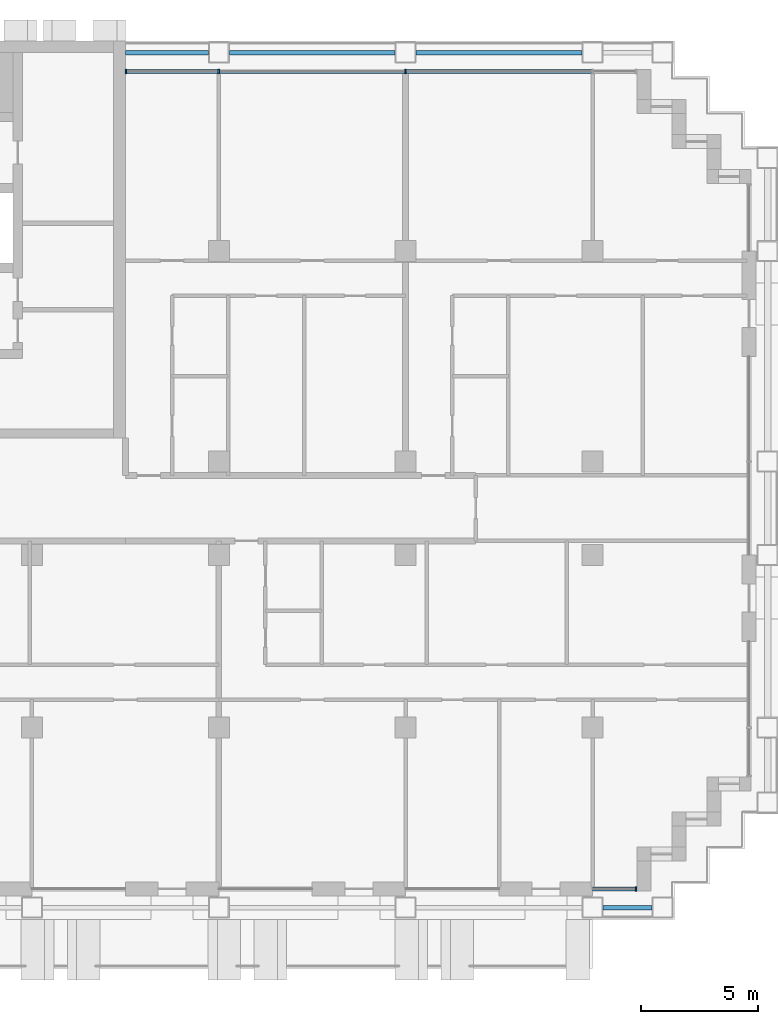
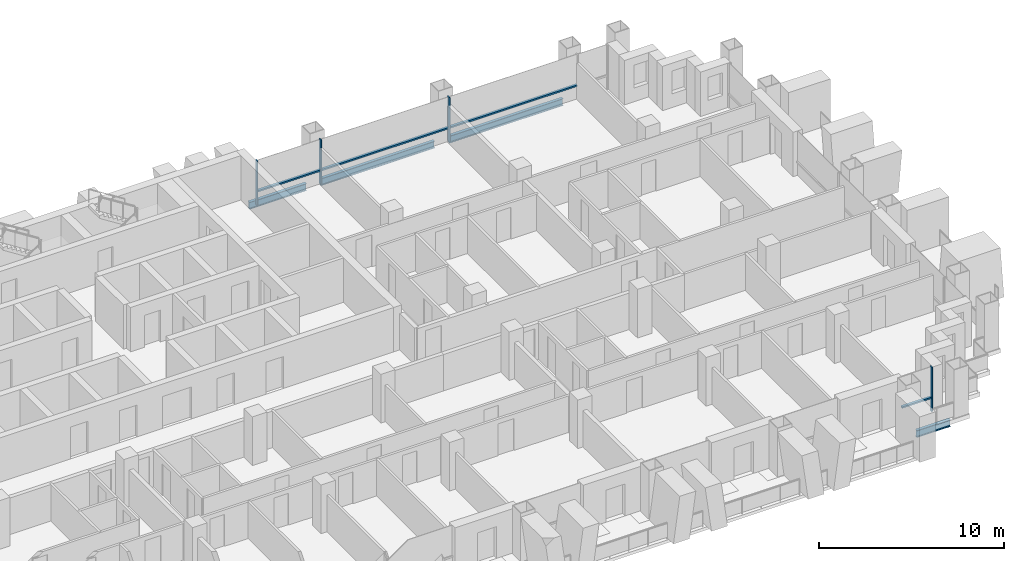
# One storey, part 5 of 19: 8 members, 4 beams, 2 elements without a shape of their own.
"""IFC4 building model written with IfcOpenShell, lengths in metres."""

import ifcopenshell
import ifcopenshell.guid

model = None  # the IFC model being written
_history = None  # IfcOwnerHistory: only IFC2X3 demands one
_inside = {}  # id of a spatial element -> (the spatial element, [elements in it])
_under = {}  # id of a project, library or spatial element -> (it, [spatial elements below it])
_declared = {}  # id of a project -> (the project, [libraries it declares])
_typed = {}  # id of a type object -> (the type object, [elements of that type])
_made_of = {}  # id of a material, layer set ... -> (it, [elements and type objects made of it])


def new_model(schema):
    """Start an empty IFC model of exactly this schema.

    Asked for "IFC4X3", IfcOpenShell would pick the latest addendum, in which some entities
    have other attributes; the version numbers below select the first issue.
    IFC2X3 requires an IfcOwnerHistory on every rooted entity: one is made here for all.
    """
    global model, _history
    if schema == "IFC4X3":
        model = ifcopenshell.file(schema_version=(4, 3, 0, 0))
    else:
        model = ifcopenshell.file(schema=schema)
    _inside.clear()
    _under.clear()
    _declared.clear()
    _typed.clear()
    _made_of.clear()
    _history = None
    if model.schema == "IFC2X3":
        org = make("IfcOrganization", Name="unknown")
        user = make(
            "IfcPersonAndOrganization",
            ThePerson=make("IfcPerson", FamilyName="unknown"),
            TheOrganization=org,
        )
        app = make(
            "IfcApplication",
            ApplicationDeveloper=org,
            Version="unknown",
            ApplicationFullName="unknown",
            ApplicationIdentifier="unknown",
        )
        _history = make(
            "IfcOwnerHistory",
            OwningUser=user,
            OwningApplication=app,
            ChangeAction="ADDED",
            CreationDate=0,
        )
    return model


def make(cls, **values):
    """One entity of the class cls with the attributes given. An attribute that is None is left unset."""
    return model.create_entity(
        cls, **{name: value for name, value in values.items() if value is not None}
    )


def rooted(cls, **values):
    """An entity with a GlobalId (a new one), such as an element, a storey or a relation."""
    return make(cls, GlobalId=ifcopenshell.guid.new(), OwnerHistory=_history, **values)


def si_unit(unit_type, name, prefix=None):
    """IfcSIUnit, for example si_unit("LENGTHUNIT", "METRE", prefix="MILLI")."""
    return make("IfcSIUnit", UnitType=unit_type, Prefix=prefix, Name=name)


def assignment(units):
    """IfcUnitAssignment: the units of a project."""
    return None if units is None else make("IfcUnitAssignment", Units=units)


def point(xyz):
    """IfcCartesianPoint."""
    return None if xyz is None else make("IfcCartesianPoint", Coordinates=xyz)


def direction(xyz):
    """IfcDirection."""
    return None if xyz is None else make("IfcDirection", DirectionRatios=xyz)


def frame(location, z_axis=None, x_axis=None):
    """IfcAxis2Placement3D, a coordinate frame: its origin and axes. An axis left out is left unset."""
    return make(
        "IfcAxis2Placement3D",
        Location=point(location),
        Axis=direction(z_axis),
        RefDirection=direction(x_axis),
    )


def frame_2d(location, x_axis=None):
    """IfcAxis2Placement2D, a coordinate frame in the plane: its origin and x axis."""
    return make(
        "IfcAxis2Placement2D", Location=point(location), RefDirection=direction(x_axis)
    )


def origin():
    """The frame at (0, 0, 0) with its axes left unset."""
    return frame((0.0, 0.0, 0.0))


def origin_2d():
    """The frame at (0, 0) in the plane with its x axis left unset."""
    return frame_2d((0.0, 0.0))


def place(relative_to, where):
    """IfcLocalPlacement: puts the frame where relative to a parent placement (None: the world)."""
    return make(
        "IfcLocalPlacement", PlacementRelTo=relative_to, RelativePlacement=where
    )


def context(
    kind, dimensions, precision=None, world=None, true_north=None, identifier=None
):
    """IfcGeometricRepresentationContext, for example the 3D "Model" context."""
    return make(
        "IfcGeometricRepresentationContext",
        ContextIdentifier=identifier,
        ContextType=kind,
        CoordinateSpaceDimension=dimensions,
        Precision=precision,
        WorldCoordinateSystem=world,
        TrueNorth=true_north,
    )


def subcontext(parent, identifier, kind, view, scale=None):
    """IfcGeometricRepresentationSubContext, for example "Body" below "Model"."""
    return make(
        "IfcGeometricRepresentationSubContext",
        ContextIdentifier=identifier,
        ContextType=kind,
        ParentContext=parent,
        TargetScale=scale,
        TargetView=view,
    )


def project(units=None, contexts=None):
    """IfcProject with its units and contexts."""
    return rooted(
        "IfcProject",
        Name="project",
        RepresentationContexts=contexts,
        UnitsInContext=assignment(units),
    )


def spatial(cls, under=None, at=None, **own):
    """A site, building, storey or space (cls), placed at a placement, below another one or the project."""
    s = rooted(cls, ObjectPlacement=at, **own)
    if under is not None:
        _under.setdefault(under.id(), (under, []))[1].append(s)
    return s


def profile(cls, at=None, kind="AREA", **sizes):
    """A parametric profile (cls). Its sizes go by their IFC names, for example OverallWidth=200.0."""
    return make(cls, ProfileType=kind, Position=at, **sizes)


def rectangle(**sizes):
    """IfcRectangleProfileDef."""
    return profile("IfcRectangleProfileDef", **sizes)


def i_section(**sizes):
    """IfcIShapeProfileDef."""
    return profile("IfcIShapeProfileDef", **sizes)


def extrude(swept, where, along, depth):
    """IfcExtrudedAreaSolid: the profile swept, set in the frame where, extruded along a direction by depth."""
    return make(
        "IfcExtrudedAreaSolid",
        SweptArea=swept,
        Position=where,
        ExtrudedDirection=direction(along),
        Depth=depth,
    )


def shape(context_of_items, identifier, shape_type, items):
    """IfcShapeRepresentation: the items that make up one representation, for example the "Body"."""
    return make(
        "IfcShapeRepresentation",
        ContextOfItems=context_of_items,
        RepresentationIdentifier=identifier,
        RepresentationType=shape_type,
        Items=items,
    )


def material(Name=None, Category=None):
    """IfcMaterial."""
    return make("IfcMaterial", Name=Name, Category=Category)


def material_profile(
    of_material, cross_section, Name=None, Category=None, Priority=None
):
    """IfcMaterialProfile: a cross section and its material."""
    return make(
        "IfcMaterialProfile",
        Name=Name,
        Material=of_material,
        Profile=cross_section,
        Priority=Priority,
        Category=Category,
    )


def profile_set(profiles, Name=None, composite=None):
    """IfcMaterialProfileSet."""
    return make(
        "IfcMaterialProfileSet",
        Name=Name,
        MaterialProfiles=profiles,
        CompositeProfile=composite,
    )


def made_of(thing, what):
    """Note that an element or type object is made of a material, layer set ...; save() writes the relation."""
    if what is not None:
        _made_of.setdefault(what.id(), (what, []))[1].append(thing)
    return thing


def type_object(cls, material=None, **own):
    """A type object (cls), such as IfcWallType, which elements share."""
    return made_of(rooted(cls, **own), material)


def element(
    cls,
    number,
    at=None,
    inside=None,
    cuts=None,
    type_object=None,
    material=None,
    context=None,
    identifier="Body",
    shape_type=None,
    held_by="IfcProductDefinitionShape",
    body=None,
    shapes=None,
    **own,
):
    """One element of the class cls, such as IfcWall. Its Tag is "e" and its number.

    at: its placement. inside: the storey or other place that contains it. cuts: it is an
    opening in that element (IfcRelVoidsElement). A single representation is given by context,
    identifier, shape_type and body (its items); several are given by shapes. held_by: the class
    of the entity that holds the representations. save() writes the other relations.
    """
    e = rooted(cls, Tag="e%d" % number, ObjectPlacement=at, **own)
    if body is not None:
        shapes = [shape(context, identifier, shape_type, body)]
    if shapes is not None:
        e.Representation = make(held_by, Representations=shapes)
    if inside is not None:
        _inside.setdefault(inside.id(), (inside, []))[1].append(e)
    if cuts is not None:
        rooted(
            "IfcRelVoidsElement", RelatingBuildingElement=cuts, RelatedOpeningElement=e
        )
    if type_object is not None:
        _typed.setdefault(type_object.id(), (type_object, []))[1].append(e)
    return made_of(e, material)


def aggregate(whole, parts):
    """IfcRelAggregates: a whole, such as a stair, and the parts it consists of."""
    return rooted("IfcRelAggregates", RelatingObject=whole, RelatedObjects=parts)


def save(model, path):
    """Write the relations noted so far, then the file.

    IfcRelAggregates (storeys below a building ...), IfcRelContainedInSpatialStructure (elements
    in a storey), IfcRelDefinesByType, IfcRelAssociatesMaterial and IfcRelDeclares: one each for
    every whole, place, type object, material and project.
    """
    for whole, parts in _under.values():
        aggregate(whole, parts)
    for where, things in _inside.values():
        rooted(
            "IfcRelContainedInSpatialStructure",
            RelatedElements=things,
            RelatingStructure=where,
        )
    for kind, things in _typed.values():
        rooted("IfcRelDefinesByType", RelatedObjects=things, RelatingType=kind)
    for what, things in _made_of.values():
        rooted("IfcRelAssociatesMaterial", RelatedObjects=things, RelatingMaterial=what)
    for by, libraries in _declared.values():
        rooted("IfcRelDeclares", RelatingContext=by, RelatedDefinitions=libraries)
    model.write(path)


model = new_model("IFC4")

# Units and contexts
model_context = context("Model", 3, precision=1e-05, world=origin(), true_north=direction((0.0, 1.0)))
body_context = subcontext(model_context, "Body", "Model", "MODEL_VIEW")
ifc_project = project(units=[si_unit("LENGTHUNIT", "METRE"), si_unit("AREAUNIT", "SQUARE_METRE"), si_unit("VOLUMEUNIT", "CUBIC_METRE"), si_unit("PLANEANGLEUNIT", "RADIAN"), si_unit("MASSUNIT", "GRAM", prefix="KILO")], contexts=[model_context])

# Site, building, storey
site_placement = place(None, origin())
site = spatial("IfcSite", under=ifc_project, at=site_placement, CompositionType="ELEMENT")
building_placement = place(site_placement, origin())
building = spatial("IfcBuilding", under=site, at=building_placement, Name="Vidyagriha Tower", CompositionType="ELEMENT")
storey_placement = place(building_placement, frame((0.0, 0.0, 99.89990234375)))
storey = spatial("IfcBuildingStorey", under=building, at=storey_placement, Name="L26", CompositionType="ELEMENT", Elevation=99.89990234375)

# Beams
ifc_material_1 = material(Name="Steel ASTM A992 Grade 50", Category="steel")
ifc_material_profile_1 = material_profile(ifc_material_1, i_section(OverallWidth=0.19189453125, OverallDepth=0.46240234375, WebThickness=0.010498046875, FlangeThickness=0.017578125, at=origin_2d()), Name="W18X60")
ifc_profile_set_1 = profile_set([ifc_material_profile_1], Name="Steel ASTM A992 Grade 50")
beam_type = type_object("IfcBeamType", Name="Edge beam W18X60", PredefinedType="SPANDREL", material=ifc_profile_set_1)
beam_1_placement = place(storey_placement, frame((34.449951171875, -17.10009765625, -0.510986328125), z_axis=(1.0, 0.0, 0.0), x_axis=(0.0, 1.0, 0.0)))
element("IfcBeam", 1, at=beam_1_placement, inside=storey, type_object=beam_type, Name="st-beam-L26-S09", PredefinedType="SPANDREL", context=body_context, shape_type="SweptSolid", body=[
    extrude(i_section(OverallWidth=0.19189453125, OverallDepth=0.46240234375, WebThickness=0.010498046875, FlangeThickness=0.017578125, at=origin_2d()), origin(), (0.0, 0.0, 1.0), 2.10009765625),
])
for number, where, z_axis, x_axis, name in (
    (2, (18.449951171875, 19.5, -0.510986328125), (1.0, 0.0, 0.0), (0.0, 1.0, 0.0), "st-beam-L26-NE21"),
    (3, (26.449951171875, 19.5, -0.510986328125), (1.0, 0.0, 0.0), (0.0, 1.0, 0.0), "st-beam-L26-NE22"),
):
    element("IfcBeam", number, at=place(storey_placement, frame(where, z_axis=z_axis, x_axis=x_axis)), inside=storey, type_object=beam_type, Name=name, PredefinedType="SPANDREL", context=body_context, shape_type="SweptSolid", body=[
        extrude(i_section(OverallWidth=0.19189453125, OverallDepth=0.46240234375, WebThickness=0.010498046875, FlangeThickness=0.017578125, at=origin_2d()), origin(), (0.0, 0.0, 1.0), 7.10009765625),
    ])
beam_2_placement = place(storey_placement, frame((14.0, 19.5, -0.510986328125), z_axis=(1.0, 0.0, 0.0), x_axis=(0.0, 1.0, 0.0)))
element("IfcBeam", 4, at=beam_2_placement, inside=storey, type_object=beam_type, Name="st-beam-L26-NC25", PredefinedType="SPANDREL", context=body_context, shape_type="SweptSolid", body=[
    extrude(i_section(OverallWidth=0.19189453125, OverallDepth=0.46240234375, WebThickness=0.010498046875, FlangeThickness=0.017578125, at=origin_2d()), origin(), (0.0, 0.0, 1.0), 3.550048828125),
])

# Curtain wall, members
ifc_material_2 = material(Name="Aluminium and glass curtain wall", Category="aluminium")
curtain_wall_type = type_object("IfcCurtainWallType", Name="Dwelling skin unitised curtain wall", PredefinedType="USERDEFINED", material=ifc_material_2)
curtain_wall_1_placement = place(storey_placement, origin())
curtain_wall_1 = element("IfcCurtainWall", 5, at=curtain_wall_1_placement, inside=storey, type_object=curtain_wall_type, Name="CW1 dwelling skin", ObjectType="UNITISED", PredefinedType="USERDEFINED")
ifc_material_3 = material(Name="Aluminium black anodised", Category="aluminium")
ifc_material_profile_2 = material_profile(ifc_material_3, rectangle(XDim=0.199951171875, YDim=0.070068359375, at=origin_2d()), Name="Mullion 70x200 black aluminium")
ifc_profile_set_2 = profile_set([ifc_material_profile_2], Name="Aluminium black anodised")
member_type_1 = type_object("IfcMemberType", Name="Mullion 70x200 black aluminium", PredefinedType="MULLION", material=ifc_profile_set_2)
member_1_placement = place(storey_placement, frame((26.0, 18.699951171875, 0.0), z_axis=(0.0, 0.0, 1.0), x_axis=(0.0, -1.0, 0.0)))
member_1 = element("IfcMember", 6, at=member_1_placement, type_object=member_type_1, Name="CW1 mullion 3", PredefinedType="MULLION", context=body_context, shape_type="SweptSolid", body=[
    extrude(rectangle(XDim=0.199951171875, YDim=0.070068359375, at=origin_2d()), origin(), (0.0, 0.0, 1.0), 2.920166015625),
])
member_2_placement = place(storey_placement, frame((18.0, 18.699951171875, 0.0), z_axis=(0.0, 0.0, 1.0), x_axis=(0.0, -1.0, 0.0)))
member_2 = element("IfcMember", 7, at=member_2_placement, type_object=member_type_1, Name="CW1 mullion 4", PredefinedType="MULLION", context=body_context, shape_type="SweptSolid", body=[
    extrude(rectangle(XDim=0.199951171875, YDim=0.070068359375, at=origin_2d()), origin(), (0.0, 0.0, 1.0), 2.920166015625),
])
member_3_placement = place(storey_placement, frame((14.034912109375, 18.699951171875, 0.0), z_axis=(0.0, 0.0, 1.0), x_axis=(0.0, -1.0, 0.0)))
member_3 = element("IfcMember", 8, at=member_3_placement, type_object=member_type_1, Name="CW1 mullion 5", PredefinedType="MULLION", context=body_context, shape_type="SweptSolid", body=[
    extrude(rectangle(XDim=0.199951171875, YDim=0.070068359375, at=origin_2d()), origin(), (0.0, 0.0, 1.0), 2.920166015625),
])

# Curtain wall, member
curtain_wall_2_placement = place(storey_placement, origin())
curtain_wall_2 = element("IfcCurtainWall", 9, at=curtain_wall_2_placement, inside=storey, type_object=curtain_wall_type, Name="CW1 dwelling skin", ObjectType="UNITISED", PredefinedType="USERDEFINED")
member_4_placement = place(storey_placement, frame((35.864990234375, -16.300048828125, 0.0), z_axis=(0.0, 0.0, 1.0), x_axis=(0.0, 1.0, 0.0)))
member_4 = element("IfcMember", 10, at=member_4_placement, type_object=member_type_1, Name="CW1 mullion 2", PredefinedType="MULLION", context=body_context, shape_type="SweptSolid", body=[
    extrude(rectangle(XDim=0.199951171875, YDim=0.070068359375, at=origin_2d()), origin(), (0.0, 0.0, 1.0), 2.920166015625),
])

# Member
ifc_material_4 = material(Name="Aluminium black anodised", Category="aluminium")
ifc_material_profile_3 = material_profile(ifc_material_4, rectangle(XDim=0.159912109375, YDim=0.10009765625, at=origin_2d()), Name="Transom 100x160 black aluminium")
ifc_profile_set_3 = profile_set([ifc_material_profile_3], Name="Aluminium black anodised")
member_type_2 = type_object("IfcMemberType", Name="Transom 100x160 black aluminium", PredefinedType="USERDEFINED", material=ifc_profile_set_3)
member_5_placement = place(storey_placement, frame((33.965087890625, 18.699951171875, 0.900146484375), z_axis=(-1.0, 0.0, 0.0), x_axis=(0.0, -1.0, 0.0)))
member_5 = element("IfcMember", 11, at=member_5_placement, type_object=member_type_2, Name="CW1 transom 2.1", ObjectType="TRANSOM", PredefinedType="USERDEFINED", context=body_context, shape_type="SweptSolid", body=[
    extrude(rectangle(XDim=0.159912109375, YDim=0.10009765625, at=origin_2d()), origin(), (0.0, 0.0, 1.0), 7.93017578125),
])

member_6_placement = place(storey_placement, frame((25.965087890625, 18.699951171875, 0.900146484375), z_axis=(-1.0, 0.0, 0.0), x_axis=(0.0, -1.0, 0.0)))
member_6 = element("IfcMember", 12, at=member_6_placement, type_object=member_type_2, Name="CW1 transom 3.1", ObjectType="TRANSOM", PredefinedType="USERDEFINED", context=body_context, shape_type="SweptSolid", body=[
    extrude(rectangle(XDim=0.159912109375, YDim=0.10009765625, at=origin_2d()), origin(), (0.0, 0.0, 1.0), 7.93017578125),
])

member_7_placement = place(storey_placement, frame((17.965087890625, 18.699951171875, 0.900146484375), z_axis=(-1.0, 0.0, 0.0), x_axis=(0.0, -1.0, 0.0)))
member_7 = element("IfcMember", 13, at=member_7_placement, type_object=member_type_2, Name="CW1 transom 4.1", ObjectType="TRANSOM", PredefinedType="USERDEFINED", context=body_context, shape_type="SweptSolid", body=[
    extrude(rectangle(XDim=0.159912109375, YDim=0.10009765625, at=origin_2d()), origin(), (0.0, 0.0, 1.0), 3.89501953125),
])

aggregate(curtain_wall_1, [member_1, member_2, member_3, member_5, member_6, member_7])

member_8_placement = place(storey_placement, frame((34.0, -16.300048828125, 0.900146484375), z_axis=(1.0, 0.0, 0.0), x_axis=(0.0, 1.0, 0.0)))
member_8 = element("IfcMember", 14, at=member_8_placement, type_object=member_type_2, Name="CW1 transom 1.1", ObjectType="TRANSOM", PredefinedType="USERDEFINED", context=body_context, shape_type="SweptSolid", body=[
    extrude(rectangle(XDim=0.159912109375, YDim=0.10009765625, at=origin_2d()), origin(), (0.0, 0.0, 1.0), 1.830078125),
])

aggregate(curtain_wall_2, [member_4, member_8])

save(model, "model.ifc")
